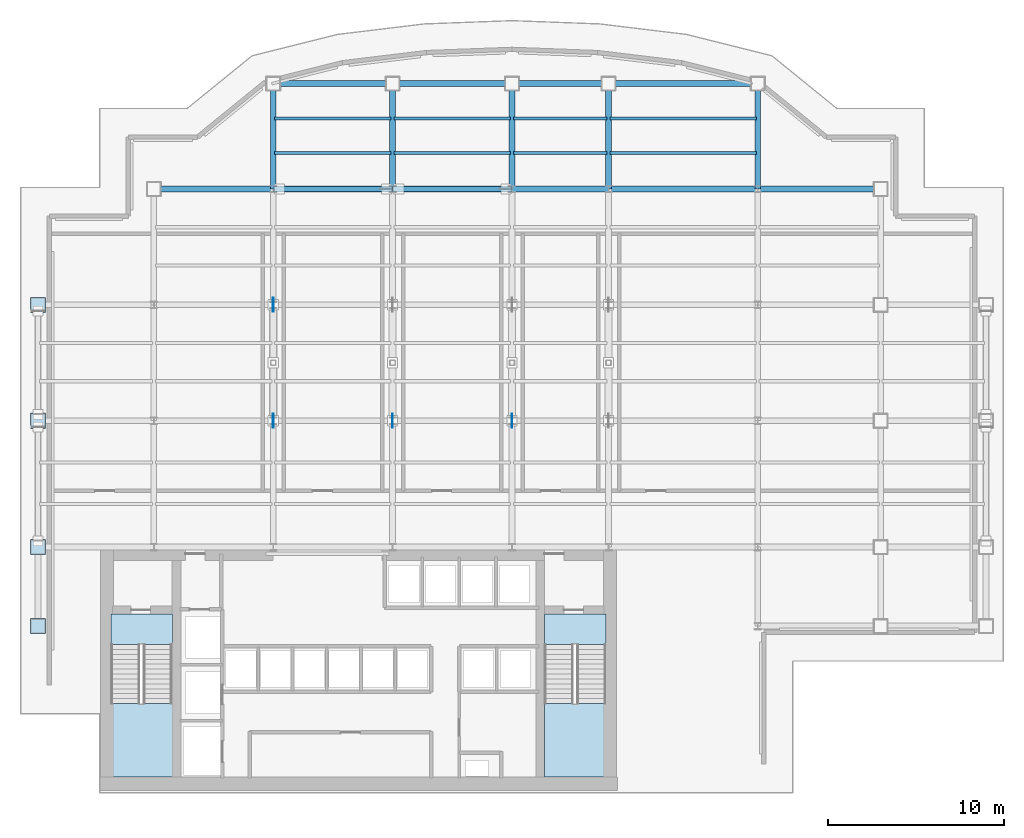
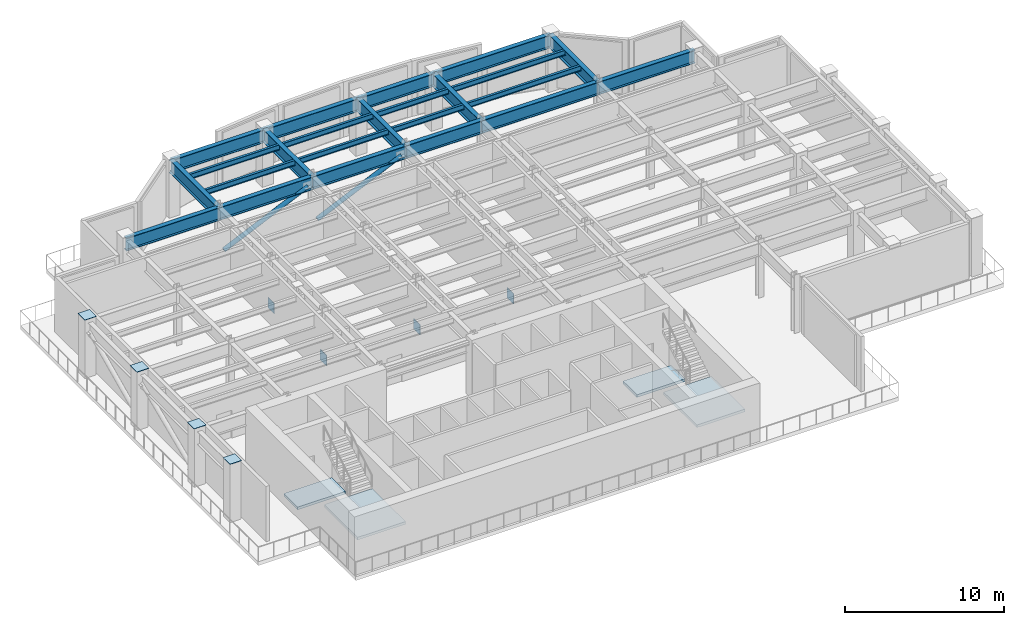
# One storey, part 4 of 12: 23 beams, 8 plates, 4 slabs, 2 members, 2 elements without a shape of their own.
"""IFC4 building model written with IfcOpenShell, lengths in metres."""

from ifc_helpers import new_model, si_unit, derived_unit, direction, frame, origin, origin_2d, place, context, subcontext, project, spatial, polyline, rectangle, hollow_circle, i_section, outline, extrude, source, transform, mapped, material, layer, layer_set, material_profile, profile_set, type_object, element, aggregate, save


model = new_model("IFC4")

# Units and contexts
model_context = context("Model", 3, precision=1e-05, world=origin(), true_north=direction((0.0, 1.0)))
body_context = subcontext(model_context, "Body", "Model", "MODEL_VIEW")
ifc_project = project(units=[si_unit("LENGTHUNIT", "METRE"), si_unit("AREAUNIT", "SQUARE_METRE"), si_unit("VOLUMEUNIT", "CUBIC_METRE"), si_unit("PLANEANGLEUNIT", "RADIAN"), si_unit("MASSUNIT", "GRAM", prefix="KILO"), derived_unit("THERMALTRANSMITTANCEUNIT", [(si_unit("POWERUNIT", "WATT"), 1), (si_unit("LENGTHUNIT", "METRE"), -2), (si_unit("THERMODYNAMICTEMPERATUREUNIT", "KELVIN"), -1)])], contexts=[model_context])

# Site, building, storey
site_placement = place(None, origin())
site = spatial("IfcSite", under=ifc_project, at=site_placement, CompositionType="ELEMENT")
building_placement = place(site_placement, origin())
building = spatial("IfcBuilding", under=site, at=building_placement, Name="Skarnbrae Concourse Arena and Tower", CompositionType="ELEMENT")
storey_placement = place(building_placement, frame((0.0, 0.0, 136.10009765625)))
storey = spatial("IfcBuildingStorey", under=building, at=storey_placement, Name="L34", CompositionType="ELEMENT", Elevation=136.10009765625)

# Beams
ifc_material_1 = material(Name="Steel CSA G40.21 350W", Category="steel")
ifc_material_profile_1 = material_profile(ifc_material_1, i_section(OverallWidth=0.327880859375, OverallDepth=1.0, WebThickness=0.02099609375, FlangeThickness=0.03759765625, at=origin_2d()), Name="W1000X371")
ifc_profile_set_1 = profile_set([ifc_material_profile_1], Name="Steel CSA G40.21 350W")
beam_type_1 = type_object("IfcBeamType", Name="BM-XFER-W1000X371", PredefinedType="BEAM", material=ifc_profile_set_1)
shared_shape_1 = source(origin(), body_context, "Body", "SweptSolid", [
    extrude(i_section(OverallWidth=0.327880859375, OverallDepth=1.0, WebThickness=0.02099609375, FlangeThickness=0.03759765625, at=origin_2d()), origin(), (0.0, 0.0, 1.0), 7.0),
])
beam_1_placement = place(storey_placement, frame((42.0, 34.39990234375, 3.699951171875), z_axis=(1.0, 0.0, 0.0), x_axis=(0.0, 1.0, 0.0)))
element("IfcBeam", 1, at=beam_1_placement, inside=storey, type_object=beam_type_1, Name="L34 Primary E-W girder Y34.4-6", PredefinedType="BEAM", context=body_context, shape_type="MappedRepresentation", body=[
    mapped(shared_shape_1, transform((0.0, 0.0, 0.0))),
])
shared_shape_2 = source(origin(), body_context, "Body", "SweptSolid", [
    extrude(i_section(OverallWidth=0.327880859375, OverallDepth=1.0, WebThickness=0.02099609375, FlangeThickness=0.03759765625, at=origin_2d()), origin(), (0.0, 0.0, 1.0), 6.0),
])
for number, where, z_axis, x_axis, name in (
    (2, (14.39990234375, 34.39990234375, 3.699951171875), (0.0, 1.0, 0.0), (-1.0, 0.0, 0.0), "L34 Primary N-S girder X14.4-4"),
    (3, (21.199951171875, 34.39990234375, 3.699951171875), (0.0, 1.0, 0.0), (-1.0, 0.0, 0.0), "L34 Primary N-S girder X21.2-4"),
    (4, (28.0, 34.39990234375, 3.699951171875), (0.0, 1.0, 0.0), (-1.0, 0.0, 0.0), "L34 Primary N-S girder X28.0-4"),
    (5, (33.5, 34.39990234375, 3.699951171875), (0.0, 1.0, 0.0), (-1.0, 0.0, 0.0), "L34 Primary N-S girder X33.5-4"),
    (6, (42.0, 34.39990234375, 3.699951171875), (0.0, 1.0, 0.0), (-1.0, 0.0, 0.0), "L34 Primary N-S girder X42.0-5"),
):
    element("IfcBeam", number, at=place(storey_placement, frame(where, z_axis=z_axis, x_axis=x_axis)), inside=storey, type_object=beam_type_1, Name=name, PredefinedType="BEAM", context=body_context, shape_type="MappedRepresentation", body=[
        mapped(shared_shape_2, transform((0.0, 0.0, 0.0))),
    ])
shared_shape_3 = source(origin(), body_context, "Body", "SweptSolid", [
    extrude(i_section(OverallWidth=0.327880859375, OverallDepth=1.0, WebThickness=0.02099609375, FlangeThickness=0.03759765625, at=origin_2d()), origin(), (0.0, 0.0, 1.0), 6.7998046875),
])
beam_2_placement = place(storey_placement, frame((7.60009765625, 34.39990234375, 3.699951171875), z_axis=(1.0, 0.0, 0.0), x_axis=(0.0, 1.0, 0.0)))
element("IfcBeam", 7, at=beam_2_placement, inside=storey, type_object=beam_type_1, Name="L34 Primary E-W girder Y34.4-1", PredefinedType="BEAM", context=body_context, shape_type="MappedRepresentation", body=[
    mapped(shared_shape_3, transform((0.0, 0.0, 0.0))),
])
shared_shape_4 = source(origin(), body_context, "Body", "SweptSolid", [
    extrude(i_section(OverallWidth=0.327880859375, OverallDepth=1.0, WebThickness=0.02099609375, FlangeThickness=0.03759765625, at=origin_2d()), origin(), (0.0, 0.0, 1.0), 6.800048828125),
])
for number, where, z_axis, x_axis, name in (
    (8, (14.39990234375, 34.39990234375, 3.699951171875), (1.0, 0.0, 0.0), (0.0, 1.0, 0.0), "L34 Primary E-W girder Y34.4-2"),
    (9, (21.199951171875, 34.39990234375, 3.699951171875), (1.0, 0.0, 0.0), (0.0, 1.0, 0.0), "L34 Primary E-W girder Y34.4-3"),
    (10, (14.39990234375, 40.39990234375, 3.699951171875), (1.0, 0.0, 0.0), (0.0, 1.0, 0.0), "L34 Perimeter spandrel Y40.4-1"),
    (11, (21.199951171875, 40.39990234375, 3.699951171875), (1.0, 0.0, 0.0), (0.0, 1.0, 0.0), "L34 Perimeter spandrel Y40.4-2"),
):
    element("IfcBeam", number, at=place(storey_placement, frame(where, z_axis=z_axis, x_axis=x_axis)), inside=storey, type_object=beam_type_1, Name=name, PredefinedType="BEAM", context=body_context, shape_type="MappedRepresentation", body=[
        mapped(shared_shape_4, transform((0.0, 0.0, 0.0))),
    ])
shared_shape_5 = source(origin(), body_context, "Body", "SweptSolid", [
    extrude(i_section(OverallWidth=0.327880859375, OverallDepth=1.0, WebThickness=0.02099609375, FlangeThickness=0.03759765625, at=origin_2d()), origin(), (0.0, 0.0, 1.0), 5.5),
])
for number, where, z_axis, x_axis, name in (
    (12, (28.0, 34.39990234375, 3.699951171875), (1.0, 0.0, 0.0), (0.0, 1.0, 0.0), "L34 Primary E-W girder Y34.4-4"),
    (13, (28.0, 40.39990234375, 3.699951171875), (1.0, 0.0, 0.0), (0.0, 1.0, 0.0), "L34 Perimeter spandrel Y40.4-3"),
):
    element("IfcBeam", number, at=place(storey_placement, frame(where, z_axis=z_axis, x_axis=x_axis)), inside=storey, type_object=beam_type_1, Name=name, PredefinedType="BEAM", context=body_context, shape_type="MappedRepresentation", body=[
        mapped(shared_shape_5, transform((0.0, 0.0, 0.0))),
    ])
shared_shape_6 = source(origin(), body_context, "Body", "SweptSolid", [
    extrude(i_section(OverallWidth=0.327880859375, OverallDepth=1.0, WebThickness=0.02099609375, FlangeThickness=0.03759765625, at=origin_2d()), origin(), (0.0, 0.0, 1.0), 8.5),
])
for number, where, z_axis, x_axis, name in (
    (14, (33.5, 34.39990234375, 3.699951171875), (1.0, 0.0, 0.0), (0.0, 1.0, 0.0), "L34 Primary E-W girder Y34.4-5"),
    (15, (33.5, 40.39990234375, 3.699951171875), (1.0, 0.0, 0.0), (0.0, 1.0, 0.0), "L34 Perimeter spandrel Y40.4-4"),
):
    element("IfcBeam", number, at=place(storey_placement, frame(where, z_axis=z_axis, x_axis=x_axis)), inside=storey, type_object=beam_type_1, Name=name, PredefinedType="BEAM", context=body_context, shape_type="MappedRepresentation", body=[
        mapped(shared_shape_6, transform((0.0, 0.0, 0.0))),
    ])
ifc_material_profile_2 = material_profile(ifc_material_1, i_section(OverallWidth=0.177978515625, OverallDepth=0.406982421875, WebThickness=0.0078125, FlangeThickness=0.0126953125, at=origin_2d()), Name="W410X60")
ifc_profile_set_2 = profile_set([ifc_material_profile_2], Name="Steel CSA G40.21 350W")
beam_type_2 = type_object("IfcBeamType", Name="BM-JOIST-W410X60", PredefinedType="JOIST", material=ifc_profile_set_2)
shared_shape_7 = source(origin(), body_context, "Body", "SweptSolid", [
    extrude(i_section(OverallWidth=0.177978515625, OverallDepth=0.406982421875, WebThickness=0.0078125, FlangeThickness=0.0126953125, at=origin_2d()), origin(), (0.0, 0.0, 1.0), 6.64013671875),
])
for number, where, z_axis, x_axis, name in (
    (16, (14.47998046875, 36.43994140625, 3.996337890625), (1.0, 0.0, 0.0), (0.0, 1.0, 0.0), "L34 Secondary floor joist 4.1.1"),
    (17, (14.47998046875, 38.419921875, 3.996337890625), (1.0, 0.0, 0.0), (0.0, 1.0, 0.0), "L34 Secondary floor joist 4.2.1"),
):
    element("IfcBeam", number, at=place(storey_placement, frame(where, z_axis=z_axis, x_axis=x_axis)), inside=storey, type_object=beam_type_2, Name=name, PredefinedType="JOIST", context=body_context, shape_type="MappedRepresentation", body=[
        mapped(shared_shape_7, transform((0.0, 0.0, 0.0))),
    ])
shared_shape_8 = source(origin(), body_context, "Body", "SweptSolid", [
    extrude(i_section(OverallWidth=0.177978515625, OverallDepth=0.406982421875, WebThickness=0.0078125, FlangeThickness=0.0126953125, at=origin_2d()), origin(), (0.0, 0.0, 1.0), 6.639892578125),
])
for number, where, z_axis, x_axis, name in (
    (18, (21.280029296875, 36.43994140625, 3.996337890625), (1.0, 0.0, 0.0), (0.0, 1.0, 0.0), "L34 Secondary floor joist 4.1.2"),
    (19, (21.280029296875, 38.419921875, 3.996337890625), (1.0, 0.0, 0.0), (0.0, 1.0, 0.0), "L34 Secondary floor joist 4.2.2"),
):
    element("IfcBeam", number, at=place(storey_placement, frame(where, z_axis=z_axis, x_axis=x_axis)), inside=storey, type_object=beam_type_2, Name=name, PredefinedType="JOIST", context=body_context, shape_type="MappedRepresentation", body=[
        mapped(shared_shape_8, transform((0.0, 0.0, 0.0))),
    ])
shared_shape_9 = source(origin(), body_context, "Body", "SweptSolid", [
    extrude(i_section(OverallWidth=0.177978515625, OverallDepth=0.406982421875, WebThickness=0.0078125, FlangeThickness=0.0126953125, at=origin_2d()), origin(), (0.0, 0.0, 1.0), 5.33984375),
])
for number, where, z_axis, x_axis, name in (
    (20, (28.080078125, 36.43994140625, 3.996337890625), (1.0, 0.0, 0.0), (0.0, 1.0, 0.0), "L34 Secondary floor joist 4.1.3"),
    (21, (28.080078125, 38.419921875, 3.996337890625), (1.0, 0.0, 0.0), (0.0, 1.0, 0.0), "L34 Secondary floor joist 4.2.3"),
):
    element("IfcBeam", number, at=place(storey_placement, frame(where, z_axis=z_axis, x_axis=x_axis)), inside=storey, type_object=beam_type_2, Name=name, PredefinedType="JOIST", context=body_context, shape_type="MappedRepresentation", body=[
        mapped(shared_shape_9, transform((0.0, 0.0, 0.0))),
    ])
shared_shape_10 = source(origin(), body_context, "Body", "SweptSolid", [
    extrude(i_section(OverallWidth=0.177978515625, OverallDepth=0.406982421875, WebThickness=0.0078125, FlangeThickness=0.0126953125, at=origin_2d()), origin(), (0.0, 0.0, 1.0), 8.33984375),
])
for number, where, z_axis, x_axis, name in (
    (22, (33.580078125, 36.43994140625, 3.996337890625), (1.0, 0.0, 0.0), (0.0, 1.0, 0.0), "L34 Secondary floor joist 4.1.4"),
    (23, (33.580078125, 38.419921875, 3.996337890625), (1.0, 0.0, 0.0), (0.0, 1.0, 0.0), "L34 Secondary floor joist 4.2.4"),
):
    element("IfcBeam", number, at=place(storey_placement, frame(where, z_axis=z_axis, x_axis=x_axis)), inside=storey, type_object=beam_type_2, Name=name, PredefinedType="JOIST", context=body_context, shape_type="MappedRepresentation", body=[
        mapped(shared_shape_10, transform((0.0, 0.0, 0.0))),
    ])

# Members
ifc_material_profile_3 = material_profile(ifc_material_1, hollow_circle(Radius=0.161865234375, WallThickness=0.01904296875, at=origin_2d()), Name="HSS324X19.0")
ifc_profile_set_3 = profile_set([ifc_material_profile_3], Name="Steel CSA G40.21 350W")
member_type = type_object("IfcMemberType", Name="MEM-BELT-CHS324", PredefinedType="BRACE", material=ifc_profile_set_3)
shared_shape_11 = source(origin(), body_context, "Body", "SweptSolid", [
    extrude(hollow_circle(Radius=0.161865234375, WallThickness=0.01904296875, at=origin_2d()), origin(), (0.0, 0.0, 1.0), 6.703369140625),
])
for number, where, z_axis, x_axis, name in (
    (24, (14.750244140625, 34.39990234375, 0.709716796875), (0.909911911273, 0.0, 0.414801535344), (0.0, 1.0, 0.0), "L34 Perimeter belt trusses diagonal B05"),
    (25, (21.55029296875, 34.39990234375, 0.709716796875), (0.909911911273, 0.0, 0.414801535344), (0.0, 1.0, 0.0), "L34 Perimeter belt trusses diagonal B06"),
):
    element("IfcMember", number, at=place(storey_placement, frame(where, z_axis=z_axis, x_axis=x_axis)), inside=storey, type_object=member_type, Name=name, PredefinedType="BRACE", context=body_context, shape_type="MappedRepresentation", body=[
        mapped(shared_shape_11, transform((0.0, 0.0, 0.0))),
    ])

# Stair, slab
ifc_material_2 = material(Name="Concrete 40 MPa (C40/50)", Category="concrete")
stair_type = type_object("IfcStairType", Name="STAIR-DOGLEG-1650", PredefinedType="HALF_TURN_STAIR", material=ifc_material_2)
stair_1_placement = place(storey_placement, origin())
stair_1 = element("IfcStair", 26, at=stair_1_placement, inside=storey, type_object=stair_type, Name="L34 Protected Exit Stair ST-1", PredefinedType="HALF_TURN_STAIR")
ifc_layer_1 = layer(ifc_material_2, 0.199951171875)
ifc_layer_set_1 = layer_set([ifc_layer_1], Name="Concrete 40 MPa (C40/50)")
slab_type = type_object("IfcSlabType", Name="SLAB-LANDING-200", PredefinedType="LANDING", material=ifc_layer_set_1)
slab_1_placement = place(storey_placement, frame((0.0, 0.0, 2.0498046875)))
slab_1 = element("IfcSlab", 27, at=slab_1_placement, type_object=slab_type, Name="ST-1 landing 1", PredefinedType="LANDING", context=body_context, shape_type="SweptSolid", body=[
    extrude(outline(polyline([(5.14990234375, 5.090087890625), (5.14990234375, 0.89990234375), (8.64990234375, 0.89990234375), (8.64990234375, 5.090087890625), (5.14990234375, 5.090087890625)])), origin(), (0.0, 0.0, 1.0), 0.2001953125),
])
aggregate(stair_1, [slab_1])

stair_2_placement = place(storey_placement, origin())
stair_2 = element("IfcStair", 28, at=stair_2_placement, inside=storey, type_object=stair_type, Name="L34 Protected Exit Stair ST-2", PredefinedType="HALF_TURN_STAIR")
slab_2_placement = place(storey_placement, frame((0.0, 0.0, 2.0498046875)))
slab_2 = element("IfcSlab", 29, at=slab_2_placement, type_object=slab_type, Name="ST-2 landing 1", PredefinedType="LANDING", context=body_context, shape_type="SweptSolid", body=[
    extrude(outline(polyline([(29.85009765625, 5.090087890625), (29.85009765625, 0.89990234375), (33.35009765625, 0.89990234375), (33.35009765625, 5.090087890625), (29.85009765625, 5.090087890625)])), origin(), (0.0, 0.0, 1.0), 0.2001953125),
])
aggregate(stair_2, [slab_2])

# Slabs
slab_3_placement = place(storey_placement, frame((0.0, 0.0, -0.2001953125)))
element("IfcSlab", 30, at=slab_3_placement, inside=storey, type_object=slab_type, Name="L34 Core stair ST1 floor landing", PredefinedType="LANDING", context=body_context, shape_type="SweptSolid", body=[
    extrude(outline(polyline([(5.14990234375, 10.199951171875), (5.14990234375, 8.449951171875), (8.64990234375, 8.449951171875), (8.64990234375, 10.199951171875), (5.14990234375, 10.199951171875)])), origin(), (0.0, 0.0, 1.0), 0.2001953125),
])
slab_4_placement = place(storey_placement, frame((0.0, 0.0, -0.2001953125)))
element("IfcSlab", 31, at=slab_4_placement, inside=storey, type_object=slab_type, Name="L34 Core stair ST2 floor landing", PredefinedType="LANDING", context=body_context, shape_type="SweptSolid", body=[
    extrude(outline(polyline([(29.85009765625, 10.199951171875), (29.85009765625, 8.449951171875), (33.35009765625, 8.449951171875), (33.35009765625, 10.199951171875), (29.85009765625, 10.199951171875)])), origin(), (0.0, 0.0, 1.0), 0.2001953125),
])

# Plates
ifc_layer_2 = layer(ifc_material_1, 0.0400390625)
ifc_layer_set_2 = layer_set([ifc_layer_2], Name="Steel CSA G40.21 350W")
plate_type_1 = type_object("IfcPlateType", Name="PLT-NODE-OUTRIG", PredefinedType="USERDEFINED", material=ifc_layer_set_2)
shared_shape_12 = source(origin(), body_context, "Body", "SweptSolid", [
    extrude(rectangle(XDim=0.800048828125, YDim=0.0400390625, at=origin_2d()), origin(), (0.0, 0.0, 1.0), 0.800048828125),
])
for number, where, z_axis, x_axis, name in (
    (32, (14.39990234375, 21.199951171875, 0.14990234375), (0.0, 0.0, 1.0), (0.0, 1.0, 0.0), "L34 Outrigger node gusset plate ND-OR-01 #1S"),
    (33, (14.39990234375, 27.800048828125, 0.14990234375), (0.0, 0.0, 1.0), (0.0, 1.0, 0.0), "L34 Outrigger node gusset plate ND-OR-01 #1N"),
    (34, (21.199951171875, 21.199951171875, 0.14990234375), (0.0, 0.0, 1.0), (0.0, 1.0, 0.0), "L34 Outrigger node gusset plate ND-OR-01 #2S"),
    (35, (28.0, 21.199951171875, 0.14990234375), (0.0, 0.0, 1.0), (0.0, 1.0, 0.0), "L34 Outrigger node gusset plate ND-OR-01 #3S"),
):
    element("IfcPlate", number, at=place(storey_placement, frame(where, z_axis=z_axis, x_axis=x_axis)), inside=storey, type_object=plate_type_1, Name=name, ObjectType="GUSSET PLATE", PredefinedType="USERDEFINED", context=body_context, shape_type="MappedRepresentation", body=[
        mapped(shared_shape_12, transform((0.0, 0.0, 0.0))),
    ])
ifc_layer_3 = layer(ifc_material_1, 0.031982421875)
ifc_layer_set_3 = layer_set([ifc_layer_3], Name="Steel CSA G40.21 350W")
plate_type_2 = type_object("IfcPlateType", Name="PLT-CAP-BOX800", PredefinedType="USERDEFINED", material=ifc_layer_set_3)
shared_shape_13 = source(origin(), body_context, "Body", "SweptSolid", [
    extrude(rectangle(XDim=0.860107421875, YDim=0.860107421875, at=origin_2d()), origin(), (0.0, 0.0, 1.0), 0.031982421875),
])
for number, where, z_axis, x_axis, name in (
    (36, (1.0, 9.5, 4.4990234375), (0.0, 0.0, 1.0), (1.0, 0.0, 0.0), "L34 Hollow column top cap plate 092"),
    (37, (1.0, 14.0, 4.4990234375), (0.0, 0.0, 1.0), (1.0, 0.0, 0.0), "L34 Hollow column top cap plate 093"),
    (38, (1.0, 21.199951171875, 4.4990234375), (0.0, 0.0, 1.0), (1.0, 0.0, 0.0), "L34 Hollow column top cap plate 094"),
    (39, (1.0, 27.800048828125, 4.4990234375), (0.0, 0.0, 1.0), (1.0, 0.0, 0.0), "L34 Hollow column top cap plate 095"),
):
    element("IfcPlate", number, at=place(storey_placement, frame(where, z_axis=z_axis, x_axis=x_axis)), inside=storey, type_object=plate_type_2, Name=name, ObjectType="CAP PLATE", PredefinedType="USERDEFINED", context=body_context, shape_type="MappedRepresentation", body=[
        mapped(shared_shape_13, transform((0.0, 0.0, 0.0))),
    ])

save(model, "model.ifc")
